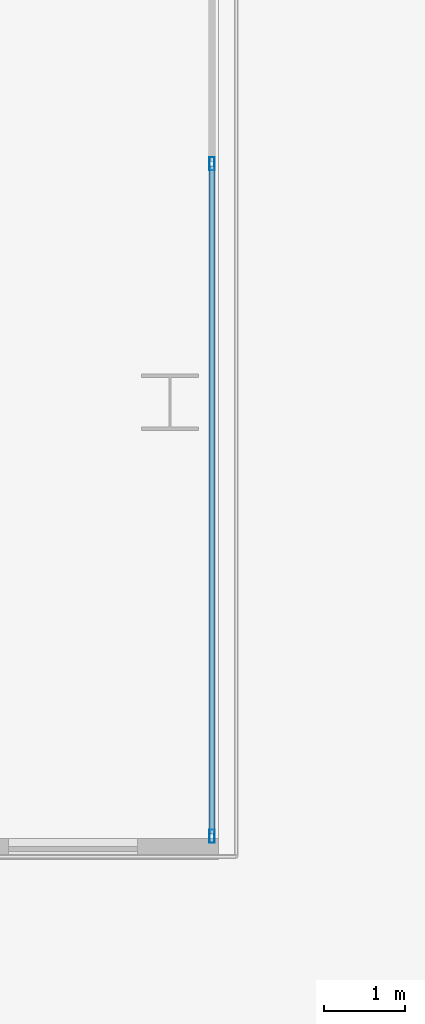
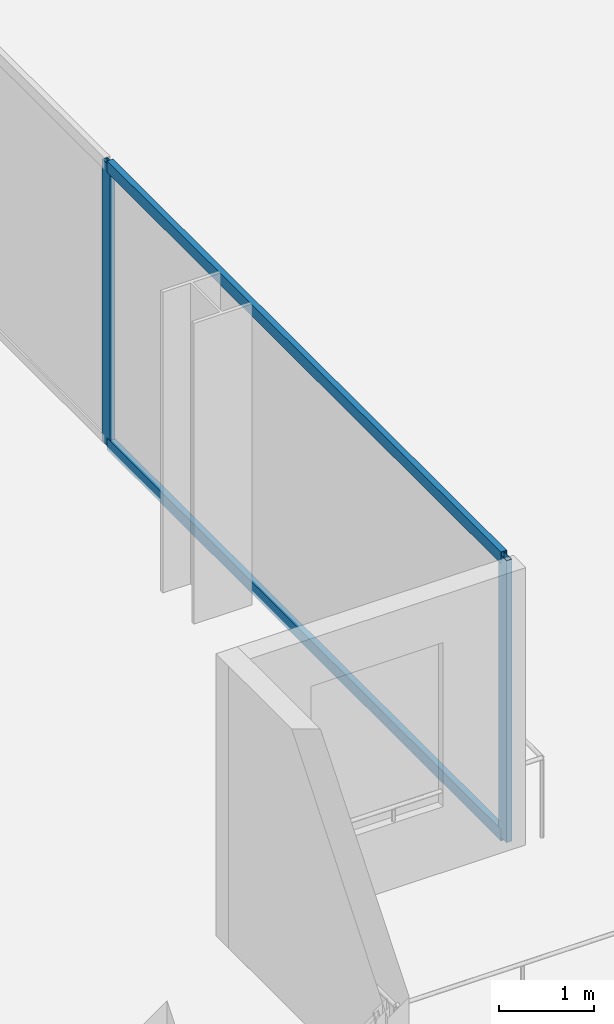
# One storey, part 18 of 31: 4 members, 1 element without a shape of its own.
"""IFC4 building model written with IfcOpenShell, lengths in metres."""

from ifc_helpers import new_model, si_unit, direction, frame, origin, origin_2d, place, context, subcontext, project, spatial, hollow_rectangle, extrude, material, layer, layer_set, material_profile, profile_set, type_object, element, aggregate, save


model = new_model("IFC4")

# Units and contexts
model_context = context("Model", 3, precision=1e-05, world=origin(), true_north=direction((0.0, 1.0)))
body_context = subcontext(model_context, "Body", "Model", "MODEL_VIEW")
ifc_project = project(units=[si_unit("LENGTHUNIT", "METRE"), si_unit("AREAUNIT", "SQUARE_METRE"), si_unit("VOLUMEUNIT", "CUBIC_METRE"), si_unit("PLANEANGLEUNIT", "RADIAN"), si_unit("MASSUNIT", "GRAM", prefix="KILO")], contexts=[model_context])

# Site, building, storey
site_placement = place(None, origin())
site = spatial("IfcSite", under=ifc_project, at=site_placement, CompositionType="ELEMENT")
building_placement = place(site_placement, origin())
building = spatial("IfcBuilding", under=site, at=building_placement, Name="Maruvema Waterfront Hotel and Observation Tower", CompositionType="ELEMENT")
storey_placement = place(building_placement, frame((0.0, 0.0, 26.949951171875)))
storey = spatial("IfcBuildingStorey", under=building, at=storey_placement, Name="L05", CompositionType="ELEMENT", Elevation=26.949951171875)

# Curtain wall, members
ifc_material_1 = material(Name="Anodised bronze aluminium and solar-control low-E IGU", Category="aluminium")
ifc_layer = layer(ifc_material_1, 0.159912109375, Name="Zone 1 Bronze Inner Thermal Curtain Wall System CW-02")
ifc_layer_set = layer_set([ifc_layer], Name="Anodised bronze aluminium and solar-control low-E IGU")
curtain_wall_type = type_object("IfcCurtainWallType", Name="Zone 1 Bronze Inner Thermal Curtain Wall System CW-02", PredefinedType="USERDEFINED", material=ifc_layer_set)
curtain_wall_placement = place(storey_placement, origin())
curtain_wall = element("IfcCurtainWall", 1, at=curtain_wall_placement, inside=storey, type_object=curtain_wall_type, Name="L05 Curtain Wall CW-L05-ES", ObjectType="UNITISED CURTAIN WALL", PredefinedType="USERDEFINED")
ifc_material_2 = material(Name="Anodised architectural bronze aluminium", Category="aluminium")
ifc_material_profile_1 = material_profile(ifc_material_2, hollow_rectangle(XDim=0.070068359375, YDim=0.14990234375, WallThickness=0.00390625, at=origin_2d()), Name="ALU-T70x150")
ifc_profile_set_1 = profile_set([ifc_material_profile_1], Name="Anodised architectural bronze aluminium")
member_type_1 = type_object("IfcMemberType", Name="Curtain Wall Horizontal Transom ALU-T70x150", PredefinedType="USERDEFINED", material=ifc_profile_set_1)
member_1_placement = place(storey_placement, frame((64.719970703125, 3.659912109375, 0.030029296875), z_axis=(0.0, 1.0, 0.0), x_axis=(-1.0, 0.0, 0.0)))
member_1 = element("IfcMember", 2, at=member_1_placement, type_object=member_type_1, Name="CW-02 transom 1.1", ObjectType="TRANSOM", PredefinedType="USERDEFINED", context=body_context, shape_type="SweptSolid", body=[
    extrude(hollow_rectangle(XDim=0.070068359375, YDim=0.14990234375, WallThickness=0.00390625, at=origin_2d()), origin(), (0.0, 0.0, 1.0), 8.260009765625),
])
member_2_placement = place(storey_placement, frame((64.719970703125, 3.659912109375, 3.580078125), z_axis=(0.0, 1.0, 0.0), x_axis=(-1.0, 0.0, 0.0)))
member_2 = element("IfcMember", 3, at=member_2_placement, type_object=member_type_1, Name="CW-02 transom 1.2", ObjectType="TRANSOM", PredefinedType="USERDEFINED", context=body_context, shape_type="SweptSolid", body=[
    extrude(hollow_rectangle(XDim=0.070068359375, YDim=0.14990234375, WallThickness=0.00390625, at=origin_2d()), origin(), (0.0, 0.0, 1.0), 8.260009765625),
])
ifc_material_3 = material(Name="Anodised architectural bronze aluminium", Category="aluminium")
ifc_material_profile_2 = material_profile(ifc_material_3, hollow_rectangle(XDim=0.06494140625, YDim=0.1650390625, WallThickness=0.00390625, at=origin_2d()), Name="ALU-M65x165")
ifc_profile_set_2 = profile_set([ifc_material_profile_2], Name="Anodised architectural bronze aluminium")
member_type_2 = type_object("IfcMemberType", Name="Curtain Wall Primary Mullion ALU-M65x165", PredefinedType="MULLION", material=ifc_profile_set_2)
member_3_placement = place(storey_placement, frame((64.719970703125, 3.6298828125, 0.0), z_axis=(0.0, 0.0, 1.0), x_axis=(-1.0, 0.0, 0.0)))
member_3 = element("IfcMember", 4, at=member_3_placement, type_object=member_type_2, Name="CW-02 mullion 1", PredefinedType="MULLION", context=body_context, shape_type="SweptSolid", body=[
    extrude(hollow_rectangle(XDim=0.06494140625, YDim=0.1650390625, WallThickness=0.00390625, at=origin_2d()), origin(), (0.0, 0.0, 1.0), 3.610107421875),
])
member_4_placement = place(storey_placement, frame((64.719970703125, 11.949951171875, 0.0), z_axis=(0.0, 0.0, 1.0), x_axis=(-1.0, 0.0, 0.0)))
member_4 = element("IfcMember", 5, at=member_4_placement, type_object=member_type_2, Name="CW-02 mullion 2", PredefinedType="MULLION", context=body_context, shape_type="SweptSolid", body=[
    extrude(hollow_rectangle(XDim=0.06494140625, YDim=0.1650390625, WallThickness=0.00390625, at=origin_2d()), origin(), (0.0, 0.0, 1.0), 3.610107421875),
])
aggregate(curtain_wall, [member_3, member_4, member_1, member_2])

save(model, "model.ifc")
